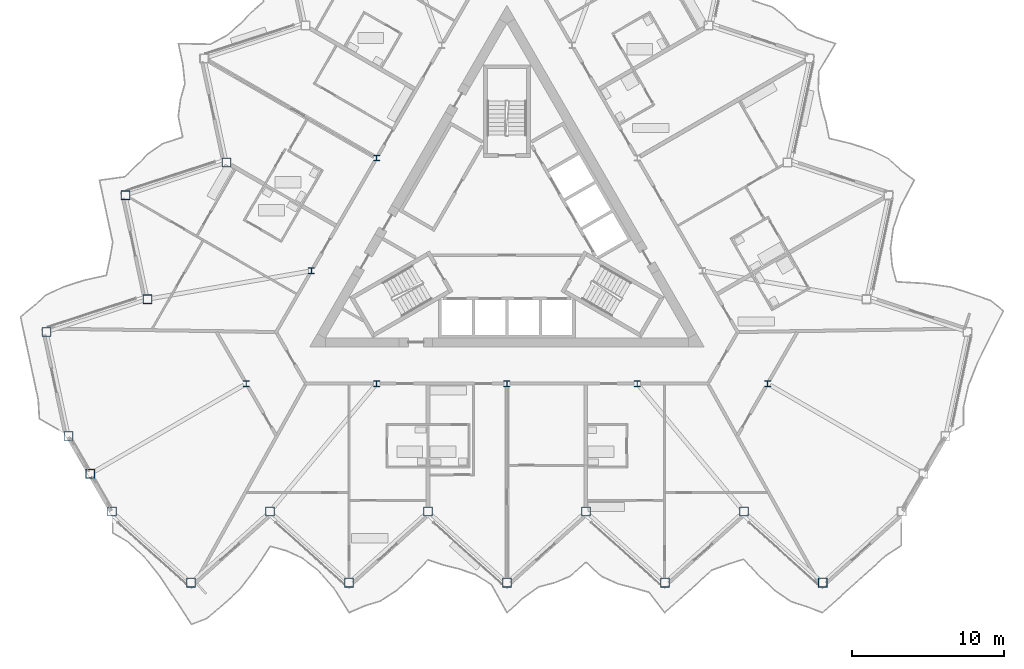
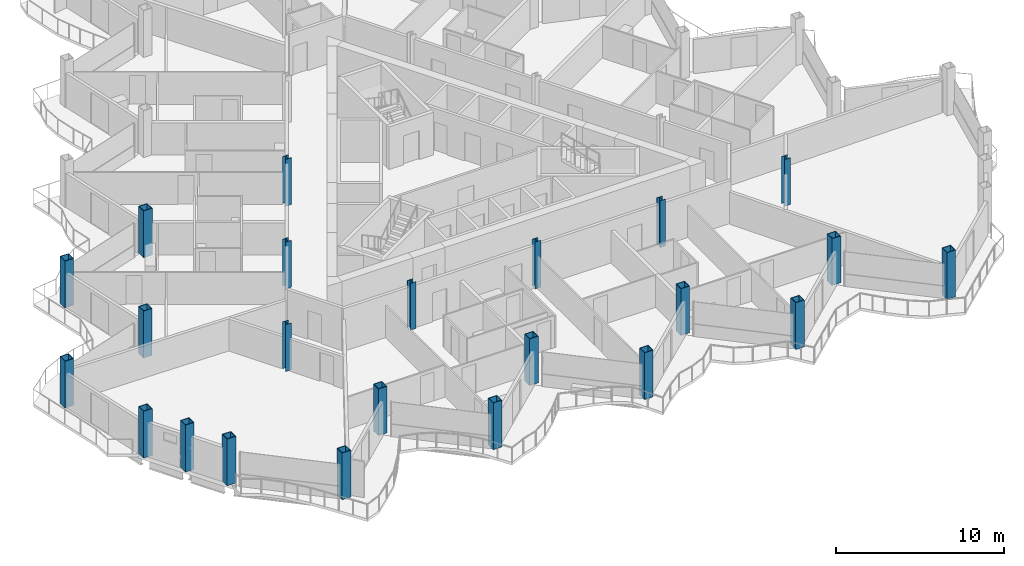
# One storey, part 1 of 26: 23 columns.
"""IFC4 building model written with IfcOpenShell, lengths in metres."""

from ifc_helpers import new_model, si_unit, direction, frame, origin, origin_2d, place, context, subcontext, project, spatial, hollow_rectangle, i_section, extrude, material, material_profile, profile_set, type_object, element, save


model = new_model("IFC4")

# Units and contexts
model_context = context("Model", 3, precision=1e-05, world=origin(), true_north=direction((0.0, 1.0)))
body_context = subcontext(model_context, "Body", "Model", "MODEL_VIEW")
ifc_project = project(units=[si_unit("LENGTHUNIT", "METRE"), si_unit("AREAUNIT", "SQUARE_METRE"), si_unit("VOLUMEUNIT", "CUBIC_METRE"), si_unit("PLANEANGLEUNIT", "RADIAN"), si_unit("MASSUNIT", "GRAM", prefix="KILO")], contexts=[model_context])

# Site, building, storey
site_placement = place(None, origin())
site = spatial("IfcSite", under=ifc_project, at=site_placement, CompositionType="ELEMENT")
building_placement = place(site_placement, origin())
building = spatial("IfcBuilding", under=site, at=building_placement, Name="Cormorant Prow Tower", CompositionType="ELEMENT")
storey_placement = place(building_placement, frame((0.0, 0.0, 329.0)))
storey = spatial("IfcBuildingStorey", under=building, at=storey_placement, Name="L73", CompositionType="ELEMENT", Elevation=329.0)

# Columns
ifc_material_1 = material(Name="Structural steel ASTM A572 Gr 50", Category="steel")
ifc_material_profile_1 = material_profile(ifc_material_1, hollow_rectangle(XDim=0.60009765625, YDim=0.60009765625, WallThickness=0.0400390625, at=origin_2d()), Name="Box 600x600x40")
ifc_profile_set_1 = profile_set([ifc_material_profile_1], Name="Structural steel ASTM A572 Gr 50")
column_type_1 = type_object("IfcColumnType", Name="Perimeter box column 600x600x40", PredefinedType="COLUMN", material=ifc_profile_set_1)
for number, where, z_axis, x_axis, name in (
    (1, (-25.995361328125, -18.326904296875, 0.0), (0.0, 0.0, 1.0), (1.0, 0.0, 0.0), "Perimeter column C6 at S00 L73"),
    (2, (-20.79638671875, -23.008056640625, 0.0), (0.0, 0.0, 1.0), (1.0, 0.0, 0.0), "Perimeter column C6 at S01 L73"),
    (3, (-15.59716796875, -18.326904296875, 0.0), (0.0, 0.0, 1.0), (1.0, 0.0, 0.0), "Perimeter column C6 at S02 L73"),
    (4, (-10.398193359375, -23.008056640625, 0.0), (0.0, 0.0, 1.0), (1.0, 0.0, 0.0), "Perimeter column C6 at S03 L73"),
    (5, (-5.198974609375, -18.326904296875, 0.0), (0.0, 0.0, 1.0), (1.0, 0.0, 0.0), "Perimeter column C6 at S04 L73"),
    (6, (0.0, -23.008056640625, 0.0), (0.0, 0.0, 1.0), (1.0, 0.0, 0.0), "Perimeter column C6 at S05 L73"),
    (7, (5.198974609375, -18.326904296875, 0.0), (0.0, 0.0, 1.0), (1.0, 0.0, 0.0), "Perimeter column C6 at S06 L73"),
    (8, (10.398193359375, -23.008056640625, 0.0), (0.0, 0.0, 1.0), (1.0, 0.0, 0.0), "Perimeter column C6 at S07 L73"),
    (9, (15.59716796875, -18.326904296875, 0.0), (0.0, 0.0, 1.0), (1.0, 0.0, 0.0), "Perimeter column C6 at S08 L73"),
    (10, (20.79638671875, -23.008056640625, 0.0), (0.0, 0.0, 1.0), (1.0, 0.0, 0.0), "Perimeter column C6 at S09 L73"),
    (11, (-18.470947265625, 4.660888671875, 0.0), (0.0, 0.0, 1.0), (1.0, 0.0, 0.0), "Perimeter column C6 at WNW06 L73"),
    (12, (-25.124755859375, 2.4990234375, 0.0), (0.0, 0.0, 1.0), (1.0, 0.0, 0.0), "Perimeter column C6 at WNW07 L73"),
    (13, (-23.670166015625, -4.34423828125, 0.0), (0.0, 0.0, 1.0), (1.0, 0.0, 0.0), "Perimeter column C6 at WNW08 L73"),
    (14, (-30.32373046875, -6.506103515625, 0.0), (0.0, 0.0, 1.0), (1.0, 0.0, 0.0), "Perimeter column C6 at WNW09 L73"),
    (15, (-28.869140625, -13.349365234375, 0.0), (0.0, 0.0, 1.0), (1.0, 0.0, 0.0), "Perimeter column C6 at WSW00 L73"),
    (16, (-27.432373046875, -15.838134765625, 0.0), (0.0, 0.0, 1.0), (1.0, 0.0, 0.0), "Perimeter column C6 at WSW01 L73"),
):
    element("IfcColumn", number, at=place(storey_placement, frame(where, z_axis=z_axis, x_axis=x_axis)), inside=storey, type_object=column_type_1, Name=name, PredefinedType="COLUMN", context=body_context, shape_type="SweptSolid", body=[
        extrude(hollow_rectangle(XDim=0.60009765625, YDim=0.60009765625, WallThickness=0.0400390625, at=origin_2d()), origin(), (0.0, 0.0, 1.0), 3.39990234375),
    ])
ifc_material_2 = material(Name="Structural steel ASTM A992 Gr 50", Category="steel")
ifc_material_profile_2 = material_profile(ifc_material_2, i_section(OverallWidth=0.3955078125, OverallDepth=0.380615234375, WebThickness=0.018798828125, FlangeThickness=0.0302734375, at=origin_2d()), Name="W14x159")
ifc_profile_set_2 = profile_set([ifc_material_profile_2], Name="Structural steel ASTM A992 Gr 50")
column_type_2 = type_object("IfcColumnType", Name="Ring column W14x159", PredefinedType="COLUMN", material=ifc_profile_set_2)
for number, where, z_axis, x_axis, name in (
    (17, (-8.578369140625, 4.952880859375, 0.0), (0.0, 0.0, 1.0), (1.0, 0.0, 0.0), "Ring column 3 L73"),
    (18, (-12.86767578125, -2.476318359375, 0.0), (0.0, 0.0, 1.0), (1.0, 0.0, 0.0), "Ring column 4 L73"),
    (19, (-17.156982421875, -9.905517578125, 0.0), (0.0, 0.0, 1.0), (1.0, 0.0, 0.0), "Ring column 5 L73"),
    (20, (-8.578369140625, -9.905517578125, 0.0), (0.0, 0.0, 1.0), (1.0, 0.0, 0.0), "Ring column 6 L73"),
    (21, (0.0, -9.905517578125, 0.0), (0.0, 0.0, 1.0), (1.0, 0.0, 0.0), "Ring column 7 L73"),
    (22, (8.578369140625, -9.905517578125, 0.0), (0.0, 0.0, 1.0), (1.0, 0.0, 0.0), "Ring column 8 L73"),
    (23, (17.156982421875, -9.905517578125, 0.0), (0.0, 0.0, 1.0), (1.0, 0.0, 0.0), "Ring column 9 L73"),
):
    element("IfcColumn", number, at=place(storey_placement, frame(where, z_axis=z_axis, x_axis=x_axis)), inside=storey, type_object=column_type_2, Name=name, PredefinedType="COLUMN", context=body_context, shape_type="SweptSolid", body=[
        extrude(i_section(OverallWidth=0.3955078125, OverallDepth=0.380615234375, WebThickness=0.018798828125, FlangeThickness=0.0302734375, at=origin_2d()), origin(), (0.0, 0.0, 1.0), 3.39990234375),
    ])

save(model, "model.ifc")
